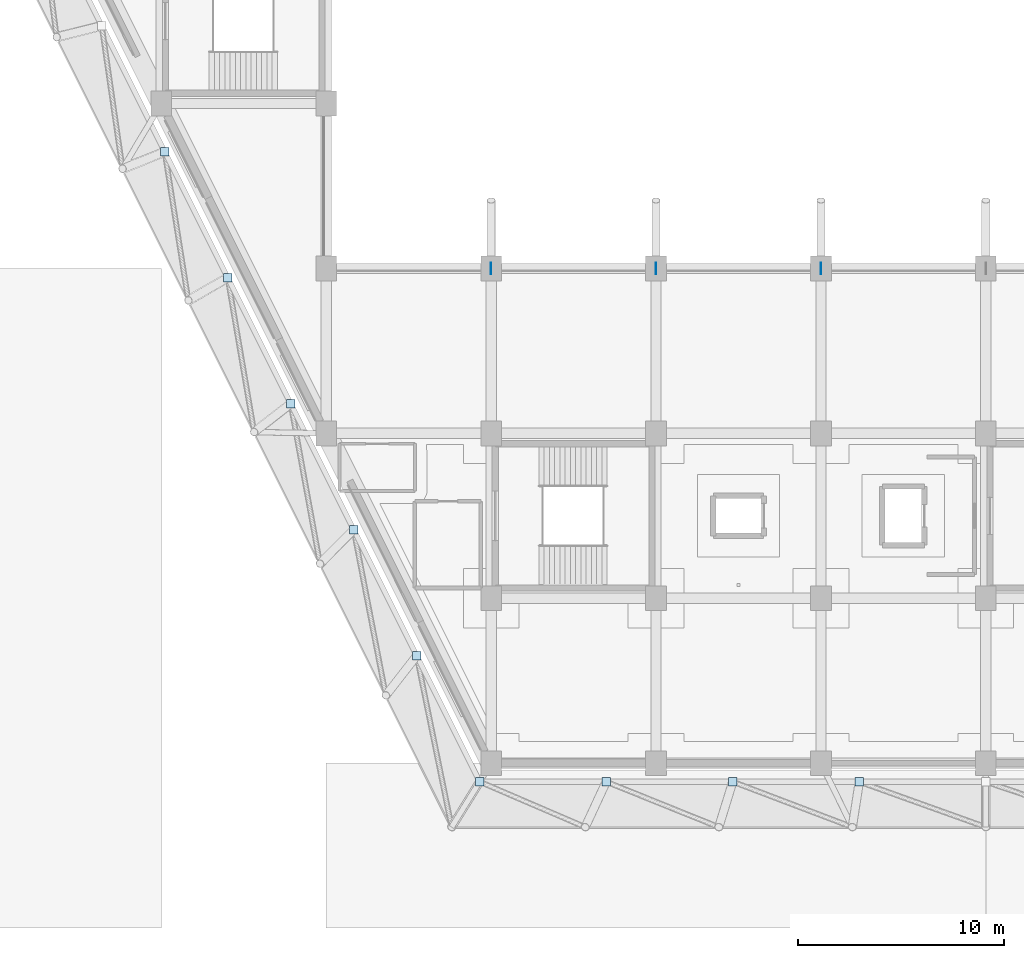
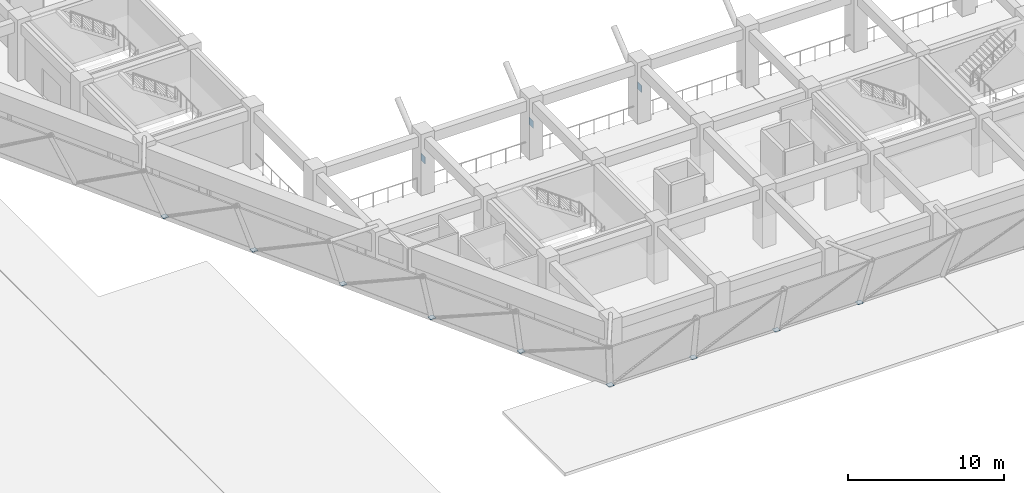
# One storey, part 21 of 46: 12 plates.
"""IFC4 building model written with IfcOpenShell, lengths in metres."""

import ifcopenshell
import ifcopenshell.guid

model = None  # the IFC model being written
_history = None  # IfcOwnerHistory: only IFC2X3 demands one
_inside = {}  # id of a spatial element -> (the spatial element, [elements in it])
_under = {}  # id of a project, library or spatial element -> (it, [spatial elements below it])
_declared = {}  # id of a project -> (the project, [libraries it declares])
_typed = {}  # id of a type object -> (the type object, [elements of that type])
_made_of = {}  # id of a material, layer set ... -> (it, [elements and type objects made of it])


def new_model(schema):
    """Start an empty IFC model of exactly this schema.

    Asked for "IFC4X3", IfcOpenShell would pick the latest addendum, in which some entities
    have other attributes; the version numbers below select the first issue.
    IFC2X3 requires an IfcOwnerHistory on every rooted entity: one is made here for all.
    """
    global model, _history
    if schema == "IFC4X3":
        model = ifcopenshell.file(schema_version=(4, 3, 0, 0))
    else:
        model = ifcopenshell.file(schema=schema)
    _inside.clear()
    _under.clear()
    _declared.clear()
    _typed.clear()
    _made_of.clear()
    _history = None
    if model.schema == "IFC2X3":
        org = make("IfcOrganization", Name="unknown")
        user = make(
            "IfcPersonAndOrganization",
            ThePerson=make("IfcPerson", FamilyName="unknown"),
            TheOrganization=org,
        )
        app = make(
            "IfcApplication",
            ApplicationDeveloper=org,
            Version="unknown",
            ApplicationFullName="unknown",
            ApplicationIdentifier="unknown",
        )
        _history = make(
            "IfcOwnerHistory",
            OwningUser=user,
            OwningApplication=app,
            ChangeAction="ADDED",
            CreationDate=0,
        )
    return model


def make(cls, **values):
    """One entity of the class cls with the attributes given. An attribute that is None is left unset."""
    return model.create_entity(
        cls, **{name: value for name, value in values.items() if value is not None}
    )


def rooted(cls, **values):
    """An entity with a GlobalId (a new one), such as an element, a storey or a relation."""
    return make(cls, GlobalId=ifcopenshell.guid.new(), OwnerHistory=_history, **values)


def si_unit(unit_type, name, prefix=None):
    """IfcSIUnit, for example si_unit("LENGTHUNIT", "METRE", prefix="MILLI")."""
    return make("IfcSIUnit", UnitType=unit_type, Prefix=prefix, Name=name)


def assignment(units):
    """IfcUnitAssignment: the units of a project."""
    return None if units is None else make("IfcUnitAssignment", Units=units)


def point(xyz):
    """IfcCartesianPoint."""
    return None if xyz is None else make("IfcCartesianPoint", Coordinates=xyz)


def direction(xyz):
    """IfcDirection."""
    return None if xyz is None else make("IfcDirection", DirectionRatios=xyz)


def frame(location, z_axis=None, x_axis=None):
    """IfcAxis2Placement3D, a coordinate frame: its origin and axes. An axis left out is left unset."""
    return make(
        "IfcAxis2Placement3D",
        Location=point(location),
        Axis=direction(z_axis),
        RefDirection=direction(x_axis),
    )


def frame_2d(location, x_axis=None):
    """IfcAxis2Placement2D, a coordinate frame in the plane: its origin and x axis."""
    return make(
        "IfcAxis2Placement2D", Location=point(location), RefDirection=direction(x_axis)
    )


def origin():
    """The frame at (0, 0, 0) with its axes left unset."""
    return frame((0.0, 0.0, 0.0))


def origin_2d():
    """The frame at (0, 0) in the plane with its x axis left unset."""
    return frame_2d((0.0, 0.0))


def place(relative_to, where):
    """IfcLocalPlacement: puts the frame where relative to a parent placement (None: the world)."""
    return make(
        "IfcLocalPlacement", PlacementRelTo=relative_to, RelativePlacement=where
    )


def context(
    kind, dimensions, precision=None, world=None, true_north=None, identifier=None
):
    """IfcGeometricRepresentationContext, for example the 3D "Model" context."""
    return make(
        "IfcGeometricRepresentationContext",
        ContextIdentifier=identifier,
        ContextType=kind,
        CoordinateSpaceDimension=dimensions,
        Precision=precision,
        WorldCoordinateSystem=world,
        TrueNorth=true_north,
    )


def subcontext(parent, identifier, kind, view, scale=None):
    """IfcGeometricRepresentationSubContext, for example "Body" below "Model"."""
    return make(
        "IfcGeometricRepresentationSubContext",
        ContextIdentifier=identifier,
        ContextType=kind,
        ParentContext=parent,
        TargetScale=scale,
        TargetView=view,
    )


def project(units=None, contexts=None):
    """IfcProject with its units and contexts."""
    return rooted(
        "IfcProject",
        Name="project",
        RepresentationContexts=contexts,
        UnitsInContext=assignment(units),
    )


def spatial(cls, under=None, at=None, **own):
    """A site, building, storey or space (cls), placed at a placement, below another one or the project."""
    s = rooted(cls, ObjectPlacement=at, **own)
    if under is not None:
        _under.setdefault(under.id(), (under, []))[1].append(s)
    return s


def profile(cls, at=None, kind="AREA", **sizes):
    """A parametric profile (cls). Its sizes go by their IFC names, for example OverallWidth=200.0."""
    return make(cls, ProfileType=kind, Position=at, **sizes)


def rectangle(**sizes):
    """IfcRectangleProfileDef."""
    return profile("IfcRectangleProfileDef", **sizes)


def extrude(swept, where, along, depth):
    """IfcExtrudedAreaSolid: the profile swept, set in the frame where, extruded along a direction by depth."""
    return make(
        "IfcExtrudedAreaSolid",
        SweptArea=swept,
        Position=where,
        ExtrudedDirection=direction(along),
        Depth=depth,
    )


def shape(context_of_items, identifier, shape_type, items):
    """IfcShapeRepresentation: the items that make up one representation, for example the "Body"."""
    return make(
        "IfcShapeRepresentation",
        ContextOfItems=context_of_items,
        RepresentationIdentifier=identifier,
        RepresentationType=shape_type,
        Items=items,
    )


def material(Name=None, Category=None):
    """IfcMaterial."""
    return make("IfcMaterial", Name=Name, Category=Category)


def layer(
    of_material, thickness, ventilated=None, Name=None, Category=None, Priority=None
):
    """IfcMaterialLayer: one layer of a wall or slab, of a material (None: an air gap)."""
    return make(
        "IfcMaterialLayer",
        Material=of_material,
        LayerThickness=thickness,
        IsVentilated=ventilated,
        Name=Name,
        Category=Category,
        Priority=Priority,
    )


def layer_set(layers, Name=None):
    """IfcMaterialLayerSet."""
    return make("IfcMaterialLayerSet", MaterialLayers=layers, LayerSetName=Name)


def made_of(thing, what):
    """Note that an element or type object is made of a material, layer set ...; save() writes the relation."""
    if what is not None:
        _made_of.setdefault(what.id(), (what, []))[1].append(thing)
    return thing


def type_object(cls, material=None, **own):
    """A type object (cls), such as IfcWallType, which elements share."""
    return made_of(rooted(cls, **own), material)


def element(
    cls,
    number,
    at=None,
    inside=None,
    cuts=None,
    type_object=None,
    material=None,
    context=None,
    identifier="Body",
    shape_type=None,
    held_by="IfcProductDefinitionShape",
    body=None,
    shapes=None,
    **own,
):
    """One element of the class cls, such as IfcWall. Its Tag is "e" and its number.

    at: its placement. inside: the storey or other place that contains it. cuts: it is an
    opening in that element (IfcRelVoidsElement). A single representation is given by context,
    identifier, shape_type and body (its items); several are given by shapes. held_by: the class
    of the entity that holds the representations. save() writes the other relations.
    """
    e = rooted(cls, Tag="e%d" % number, ObjectPlacement=at, **own)
    if body is not None:
        shapes = [shape(context, identifier, shape_type, body)]
    if shapes is not None:
        e.Representation = make(held_by, Representations=shapes)
    if inside is not None:
        _inside.setdefault(inside.id(), (inside, []))[1].append(e)
    if cuts is not None:
        rooted(
            "IfcRelVoidsElement", RelatingBuildingElement=cuts, RelatedOpeningElement=e
        )
    if type_object is not None:
        _typed.setdefault(type_object.id(), (type_object, []))[1].append(e)
    return made_of(e, material)


def aggregate(whole, parts):
    """IfcRelAggregates: a whole, such as a stair, and the parts it consists of."""
    return rooted("IfcRelAggregates", RelatingObject=whole, RelatedObjects=parts)


def save(model, path):
    """Write the relations noted so far, then the file.

    IfcRelAggregates (storeys below a building ...), IfcRelContainedInSpatialStructure (elements
    in a storey), IfcRelDefinesByType, IfcRelAssociatesMaterial and IfcRelDeclares: one each for
    every whole, place, type object, material and project.
    """
    for whole, parts in _under.values():
        aggregate(whole, parts)
    for where, things in _inside.values():
        rooted(
            "IfcRelContainedInSpatialStructure",
            RelatedElements=things,
            RelatingStructure=where,
        )
    for kind, things in _typed.values():
        rooted("IfcRelDefinesByType", RelatedObjects=things, RelatingType=kind)
    for what, things in _made_of.values():
        rooted("IfcRelAssociatesMaterial", RelatedObjects=things, RelatingMaterial=what)
    for by, libraries in _declared.values():
        rooted("IfcRelDeclares", RelatingContext=by, RelatedDefinitions=libraries)
    model.write(path)


model = new_model("IFC4")

# Units and contexts
model_context = context("Model", 3, precision=1e-05, world=origin(), true_north=direction((0.0, 1.0)))
body_context = subcontext(model_context, "Body", "Model", "MODEL_VIEW")
ifc_project = project(units=[si_unit("LENGTHUNIT", "METRE"), si_unit("AREAUNIT", "SQUARE_METRE"), si_unit("VOLUMEUNIT", "CUBIC_METRE"), si_unit("PLANEANGLEUNIT", "RADIAN"), si_unit("MASSUNIT", "GRAM", prefix="KILO")], contexts=[model_context])

# Site, building, storey
site_placement = place(None, origin())
site = spatial("IfcSite", under=ifc_project, at=site_placement, CompositionType="ELEMENT")
building_placement = place(site_placement, origin())
building = spatial("IfcBuilding", under=site, at=building_placement, Name="Tazarka Park Arena", CompositionType="ELEMENT")
storey_placement = place(building_placement, frame((0.0, 0.0, 10.199951171875)))
storey = spatial("IfcBuildingStorey", under=building, at=storey_placement, Name="L02", CompositionType="ELEMENT", Elevation=10.199951171875)

# Plates
ifc_material_1 = material(Name="Steel S460", Category="steel")
ifc_layer_1 = layer(ifc_material_1, 0.031982421875, Name="Steel S460")
ifc_layer_set_1 = layer_set([ifc_layer_1], Name="Steel S460")
plate_type_1 = type_object("IfcPlateType", Name="PLT-PL-12", PredefinedType="USERDEFINED", material=ifc_layer_set_1)
for number, where, z_axis, x_axis, name in (
    (1, (64.0, 40.0, 2.130126953125), (0.0, 0.0, 1.0), (1.0, 0.0, 0.0), "RKP-S-08-1"),
    (2, (72.0, 40.0, 2.130126953125), (0.0, 0.0, 1.0), (1.0, 0.0, 0.0), "RKP-S-09-1"),
    (3, (80.0, 40.0, 2.130126953125), (0.0, 0.0, 1.0), (1.0, 0.0, 0.0), "RKP-S-10-1"),
):
    element("IfcPlate", number, at=place(storey_placement, frame(where, z_axis=z_axis, x_axis=x_axis)), inside=storey, type_object=plate_type_1, Name=name, ObjectType="STIFFENER", PredefinedType="USERDEFINED", context=body_context, shape_type="SweptSolid", body=[
        extrude(rectangle(XDim=0.031982421875, YDim=0.5400390625, at=origin_2d()), origin(), (0.0, 0.0, 1.0), 0.5400390625),
    ])
ifc_material_2 = material(Name="Steel S460", Category="steel")
ifc_layer_2 = layer(ifc_material_2, 0.02587890625, Name="Steel S460")
ifc_layer_set_2 = layer_set([ifc_layer_2], Name="Steel S460")
plate_type_2 = type_object("IfcPlateType", Name="PLT-PL-14", PredefinedType="USERDEFINED", material=ifc_layer_set_2)
for number, where, z_axis, x_axis, name in (
    (4, (63.44384765625, 15.10009765625, -0.012939453125), (0.0, 0.0, 1.0), (1.0, 0.0, 0.0), "GMP-B-00"),
    (5, (69.5830078125, 15.10009765625, -0.012939453125), (0.0, 0.0, 1.0), (1.0, 0.0, 0.0), "GMP-B-01"),
    (6, (75.721923828125, 15.10009765625, -0.012939453125), (0.0, 0.0, 1.0), (1.0, 0.0, 0.0), "GMP-B-02"),
    (7, (81.861083984375, 15.10009765625, -0.012939453125), (0.0, 0.0, 1.0), (1.0, 0.0, 0.0), "GMP-B-03"),
    (8, (48.16259765625, 45.66259765625, -0.012939453125), (0.0, 0.0, 1.0), (1.0, 0.0, 0.0), "GMP-B-43"),
    (9, (51.21875, 39.550048828125, -0.012939453125), (0.0, 0.0, 1.0), (1.0, 0.0, 0.0), "GMP-B-44"),
    (10, (54.275146484375, 33.4375, -0.012939453125), (0.0, 0.0, 1.0), (1.0, 0.0, 0.0), "GMP-B-45"),
    (11, (57.331298828125, 27.324951171875, -0.012939453125), (0.0, 0.0, 1.0), (1.0, 0.0, 0.0), "GMP-B-46"),
    (12, (60.3876953125, 21.21240234375, -0.012939453125), (0.0, 0.0, 1.0), (1.0, 0.0, 0.0), "GMP-B-47"),
):
    element("IfcPlate", number, at=place(storey_placement, frame(where, z_axis=z_axis, x_axis=x_axis)), inside=storey, type_object=plate_type_2, Name=name, ObjectType="STIFFENER", PredefinedType="USERDEFINED", context=body_context, shape_type="SweptSolid", body=[
        extrude(rectangle(XDim=0.39990234375, YDim=0.39990234375, at=origin_2d()), origin(), (0.0, 0.0, 1.0), 0.02587890625),
    ])

save(model, "model.ifc")
